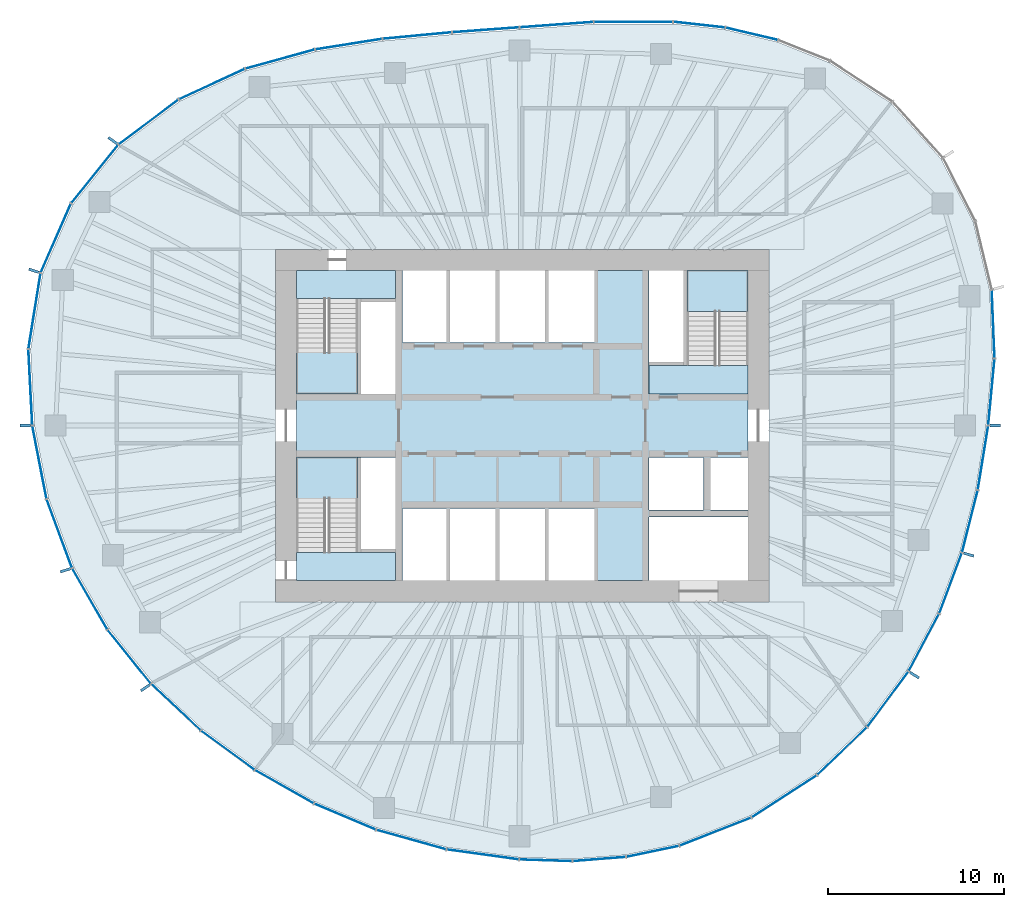
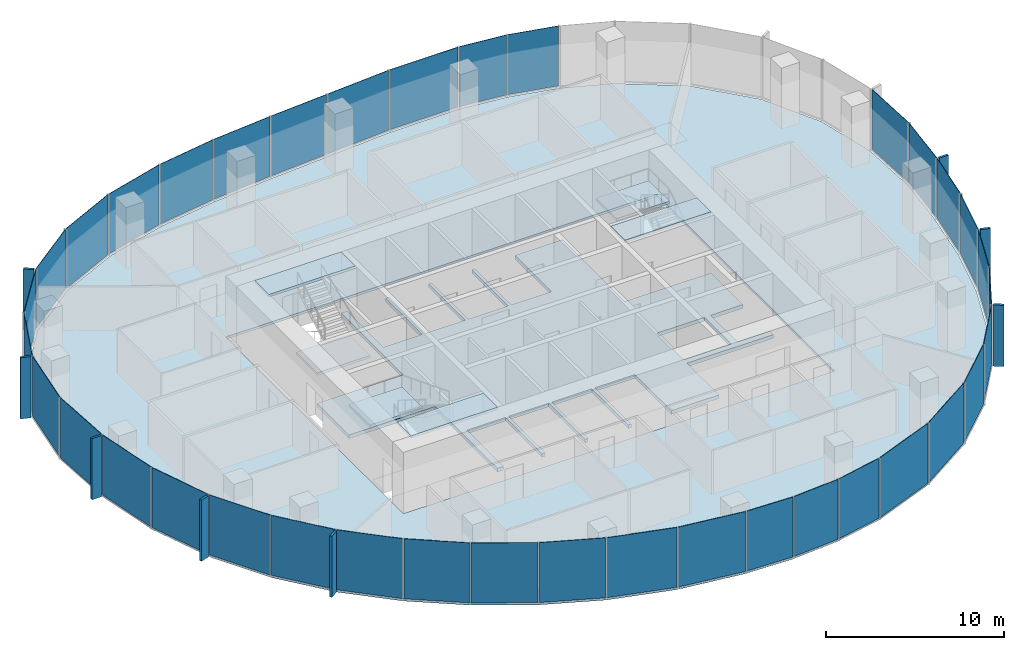
# One storey, part 7 of 12: 45 plates, 8 slabs, 21 elements without a shape of their own.
"""IFC4 building model written with IfcOpenShell, lengths in metres."""

from ifc_helpers import new_model, si_unit, direction, frame, origin, origin_2d, place, context, subcontext, project, spatial, polyline, rectangle, outline, extrude, material, layer, layer_set, type_object, element, aggregate, save


model = new_model("IFC4")

# Units and contexts
model_context = context("Model", 3, precision=1e-05, world=origin(), true_north=direction((0.0, 1.0)))
body_context = subcontext(model_context, "Body", "Model", "MODEL_VIEW")
ifc_project = project(units=[si_unit("LENGTHUNIT", "METRE"), si_unit("AREAUNIT", "SQUARE_METRE"), si_unit("VOLUMEUNIT", "CUBIC_METRE"), si_unit("PLANEANGLEUNIT", "RADIAN"), si_unit("MASSUNIT", "GRAM", prefix="KILO")], contexts=[model_context])

# Site, building, storey
site_placement = place(None, origin())
site = spatial("IfcSite", under=ifc_project, at=site_placement, CompositionType="ELEMENT")
building_placement = place(site_placement, origin())
building = spatial("IfcBuilding", under=site, at=building_placement, Name="Ghaith Harvest Tower", CompositionType="ELEMENT")
storey_placement = place(building_placement, frame((0.0, 0.0, 232.60009765625)))
storey = spatial("IfcBuildingStorey", under=building, at=storey_placement, Name="L51", CompositionType="ELEMENT", Elevation=232.60009765625)

# Curtain wall, plates
ifc_material_1 = material(Name="Black anodised aluminium and fritted glass", Category="aluminium")
curtain_wall_type = type_object("IfcCurtainWallType", Name="CW-H CURTAIN WALL", PredefinedType="NOTDEFINED", material=ifc_material_1)
curtain_wall_1_placement = place(storey_placement, origin())
curtain_wall_1 = element("IfcCurtainWall", 1, at=curtain_wall_1_placement, inside=storey, type_object=curtain_wall_type, Name="Curtain wall CW-H bay 01 L51", PredefinedType="NOTDEFINED")
ifc_material_2 = material(Name="Glass, dark solar-control fritted double glazed unit", Category="glass")
ifc_layer_1 = layer(ifc_material_2, 0.030029296875)
ifc_layer_set_1 = layer_set([ifc_layer_1], Name="CW-H VISION PANEL")
plate_type_1 = type_object("IfcPlateType", Name="CW-H VISION PANEL", PredefinedType="CURTAIN_PANEL", material=ifc_layer_set_1)
plate_1_placement = place(storey_placement, frame((26.624755859375, 1.89794921875, 0.079833984375), z_axis=(0.0, 0.0, 1.0), x_axis=(0.094301909937, 0.995543645343, 0.0)))
plate_1 = element("IfcPlate", 2, at=plate_1_placement, type_object=plate_type_1, Name="CW-H glass unit 1 bay 01 L51", PredefinedType="CURTAIN_PANEL", context=body_context, shape_type="SweptSolid", body=[
    extrude(rectangle(XDim=3.73291015625, YDim=0.030029296875, at=origin_2d()), origin(), (0.0, 0.0, 1.0), 4.1201171875),
])
plate_2_placement = place(storey_placement, frame((26.7255859375, 5.74853515625, 0.079833984375), z_axis=(0.0, 0.0, 1.0), x_axis=(-0.040462173218, 0.999181070947, 0.0)))
plate_2 = element("IfcPlate", 3, at=plate_2_placement, type_object=plate_type_1, Name="CW-H glass unit 2 bay 01 L51", PredefinedType="CURTAIN_PANEL", context=body_context, shape_type="SweptSolid", body=[
    extrude(rectangle(XDim=3.82861328125, YDim=0.030029296875, at=origin_2d()), origin(), (0.0, 0.0, 1.0), 4.1201171875),
])
aggregate(curtain_wall_1, [plate_1, plate_2])

curtain_wall_2_placement = place(storey_placement, origin())
curtain_wall_2 = element("IfcCurtainWall", 4, at=curtain_wall_2_placement, inside=storey, type_object=curtain_wall_type, Name="Curtain wall CW-H bay 04 L51", PredefinedType="NOTDEFINED")
plate_3_placement = place(storey_placement, frame((13.027099609375, 22.225341796875, 0.079833984375), z_axis=(0.0, 0.0, 1.0), x_axis=(-0.973266235028, 0.229679854916, 0.0)))
plate_3 = element("IfcPlate", 5, at=plate_3_placement, type_object=plate_type_1, Name="CW-H glass unit 2 bay 04 L51", PredefinedType="CURTAIN_PANEL", context=body_context, shape_type="SweptSolid", body=[
    extrude(rectangle(XDim=3.00244140625, YDim=0.030029296875, at=origin_2d()), origin(), (0.0, 0.0, 1.0), 4.1201171875),
])
plate_4_placement = place(storey_placement, frame((10.045654296875, 22.744384765625, 0.079833984375), z_axis=(0.0, 0.0, 1.0), x_axis=(-0.993865217442, 0.11059805405, 0.0)))
plate_4 = element("IfcPlate", 6, at=plate_4_placement, type_object=plate_type_1, Name="CW-H glass unit 3 bay 04 L51", PredefinedType="CURTAIN_PANEL", context=body_context, shape_type="SweptSolid", body=[
    extrude(rectangle(XDim=2.901123046875, YDim=0.030029296875, at=origin_2d()), origin(), (0.0, 0.0, 1.0), 4.1201171875),
])
aggregate(curtain_wall_2, [plate_3, plate_4])

curtain_wall_3_placement = place(storey_placement, origin())
curtain_wall_3 = element("IfcCurtainWall", 7, at=curtain_wall_3_placement, inside=storey, type_object=curtain_wall_type, Name="Curtain wall CW-H bay 05 L51", PredefinedType="NOTDEFINED")
plate_5_placement = place(storey_placement, frame((6.31201171875, 22.904296875, 0.079833984375), z_axis=(0.0, 0.0, 1.0), x_axis=(-0.999997643645, -0.002170876291, 0.0)))
plate_5 = element("IfcPlate", 8, at=plate_5_placement, type_object=plate_type_1, Name="CW-H glass unit 1 bay 05 L51", PredefinedType="CURTAIN_PANEL", context=body_context, shape_type="SweptSolid", body=[
    extrude(rectangle(XDim=4.4248046875, YDim=0.030029296875, at=origin_2d()), origin(), (0.0, 0.0, 1.0), 4.1201171875),
])
plate_6_placement = place(storey_placement, frame((1.952392578125, 22.744873046875, 0.079833984375), z_axis=(0.0, 0.0, 1.0), x_axis=(-0.997324570719, -0.073100619976, 0.0)))
plate_6 = element("IfcPlate", 9, at=plate_6_placement, type_object=plate_type_1, Name="CW-H glass unit 2 bay 05 L51", PredefinedType="CURTAIN_PANEL", context=body_context, shape_type="SweptSolid", body=[
    extrude(rectangle(XDim=4.1455078125, YDim=0.030029296875, at=origin_2d()), origin(), (0.0, 0.0, 1.0), 4.1201171875),
])
aggregate(curtain_wall_3, [plate_5, plate_6])

curtain_wall_4_placement = place(storey_placement, origin())
curtain_wall_4 = element("IfcCurtainWall", 10, at=curtain_wall_4_placement, inside=storey, type_object=curtain_wall_type, Name="Curtain wall CW-H bay 06 L51", PredefinedType="NOTDEFINED")
plate_7_placement = place(storey_placement, frame((-2.0693359375, 22.450439453125, 0.079833984375), z_axis=(0.0, 0.0, 1.0), x_axis=(-0.997334393671, -0.072966479985, 0.0)))
plate_7 = element("IfcPlate", 11, at=plate_7_placement, type_object=plate_type_1, Name="CW-H glass unit 1 bay 06 L51", PredefinedType="CURTAIN_PANEL", context=body_context, shape_type="SweptSolid", body=[
    extrude(rectangle(XDim=3.759765625, YDim=0.030029296875, at=origin_2d()), origin(), (0.0, 0.0, 1.0), 4.1201171875),
])
plate_8_placement = place(storey_placement, frame((-5.954345703125, 22.12548828125, 0.079833984375), z_axis=(0.0, 0.0, 1.0), x_axis=(-0.995631991968, -0.093364535934, 0.0)))
plate_8 = element("IfcPlate", 12, at=plate_8_placement, type_object=plate_type_1, Name="CW-H glass unit 2 bay 06 L51", PredefinedType="CURTAIN_PANEL", context=body_context, shape_type="SweptSolid", body=[
    extrude(rectangle(XDim=3.87744140625, YDim=0.030029296875, at=origin_2d()), origin(), (0.0, 0.0, 1.0), 4.1201171875),
])
aggregate(curtain_wall_4, [plate_7, plate_8])

curtain_wall_5_placement = place(storey_placement, origin())
curtain_wall_5 = element("IfcCurtainWall", 13, at=curtain_wall_5_placement, inside=storey, type_object=curtain_wall_type, Name="Curtain wall CW-H bay 07 L51", PredefinedType="NOTDEFINED")
plate_9_placement = place(storey_placement, frame((-9.83837890625, 21.638671875, 0.079833984375), z_axis=(0.0, 0.0, 1.0), x_axis=(-0.98777033338, -0.155915901993, 0.0)))
plate_9 = element("IfcPlate", 14, at=plate_9_placement, type_object=plate_type_1, Name="CW-H glass unit 1 bay 07 L51", PredefinedType="CURTAIN_PANEL", context=body_context, shape_type="SweptSolid", body=[
    extrude(rectangle(XDim=3.795166015625, YDim=0.030029296875, at=origin_2d()), origin(), (0.0, 0.0, 1.0), 4.1201171875),
])
plate_10_placement = place(storey_placement, frame((-13.736572265625, 20.78955078125, 0.079833984375), z_axis=(0.0, 0.0, 1.0), x_axis=(-0.964034113875, -0.26577853052, 0.0)))
plate_10 = element("IfcPlate", 15, at=plate_10_placement, type_object=plate_type_1, Name="CW-H glass unit 2 bay 07 L51", PredefinedType="CURTAIN_PANEL", context=body_context, shape_type="SweptSolid", body=[
    extrude(rectangle(XDim=4.03662109375, YDim=0.030029296875, at=origin_2d()), origin(), (0.0, 0.0, 1.0), 4.1201171875),
])
aggregate(curtain_wall_5, [plate_9, plate_10])

curtain_wall_6_placement = place(storey_placement, origin())
curtain_wall_6 = element("IfcCurtainWall", 16, at=curtain_wall_6_placement, inside=storey, type_object=curtain_wall_type, Name="Curtain wall CW-H bay 08 L51", PredefinedType="NOTDEFINED")
plate_11_placement = place(storey_placement, frame((-17.608154296875, 19.370849609375, 0.079833984375), z_axis=(0.0, 0.0, 1.0), x_axis=(-0.907814470414, -0.419372015408, 0.0)))
plate_11 = element("IfcPlate", 17, at=plate_11_placement, type_object=plate_type_1, Name="CW-H glass unit 1 bay 08 L51", PredefinedType="CURTAIN_PANEL", context=body_context, shape_type="SweptSolid", body=[
    extrude(rectangle(XDim=4.077392578125, YDim=0.030029296875, at=origin_2d()), origin(), (0.0, 0.0, 1.0), 4.1201171875),
])
plate_12_placement = place(storey_placement, frame((-21.20166015625, 17.219482421875, 0.079833984375), z_axis=(0.0, 0.0, 1.0), x_axis=(-0.800067053187, -0.599910585341, 0.0)))
plate_12 = element("IfcPlate", 18, at=plate_12_placement, type_object=plate_type_1, Name="CW-H glass unit 2 bay 08 L51", PredefinedType="CURTAIN_PANEL", context=body_context, shape_type="SweptSolid", body=[
    extrude(rectangle(XDim=4.18603515625, YDim=0.030029296875, at=origin_2d()), origin(), (0.0, 0.0, 1.0), 4.1201171875),
])
aggregate(curtain_wall_6, [plate_11, plate_12])

curtain_wall_7_placement = place(storey_placement, origin())
curtain_wall_7 = element("IfcCurtainWall", 19, at=curtain_wall_7_placement, inside=storey, type_object=curtain_wall_type, Name="Curtain wall CW-H bay 09 L51", PredefinedType="NOTDEFINED")
plate_13_placement = place(storey_placement, frame((-24.25390625, 14.270263671875, 0.079833984375), z_axis=(0.0, 0.0, 1.0), x_axis=(-0.627547637499, -0.778578167347, 0.0)))
plate_13 = element("IfcPlate", 20, at=plate_13_placement, type_object=plate_type_1, Name="CW-H glass unit 1 bay 09 L51", PredefinedType="CURTAIN_PANEL", context=body_context, shape_type="SweptSolid", body=[
    extrude(rectangle(XDim=4.208740234375, YDim=0.030029296875, at=origin_2d()), origin(), (0.0, 0.0, 1.0), 4.1201171875),
])
plate_14_placement = place(storey_placement, frame((-26.462646484375, 10.63037109375, 0.079833984375), z_axis=(0.0, 0.0, 1.0), x_axis=(-0.40121291108, -0.915984825192, 0.0)))
plate_14 = element("IfcPlate", 21, at=plate_14_placement, type_object=plate_type_1, Name="CW-H glass unit 2 bay 09 L51", PredefinedType="CURTAIN_PANEL", context=body_context, shape_type="SweptSolid", body=[
    extrude(rectangle(XDim=4.22216796875, YDim=0.030029296875, at=origin_2d()), origin(), (0.0, 0.0, 1.0), 4.1201171875),
])
aggregate(curtain_wall_7, [plate_13, plate_14])

curtain_wall_8_placement = place(storey_placement, origin())
curtain_wall_8 = element("IfcCurtainWall", 22, at=curtain_wall_8_placement, inside=storey, type_object=curtain_wall_type, Name="Curtain wall CW-H bay 10 L51", PredefinedType="NOTDEFINED")
plate_15_placement = place(storey_placement, frame((-27.670654296875, 6.49658203125, 0.079833984375), z_axis=(0.0, 0.0, 1.0), x_axis=(-0.157514341695, -0.987516699687, 0.0)))
plate_15 = element("IfcPlate", 23, at=plate_15_placement, type_object=plate_type_1, Name="CW-H glass unit 1 bay 10 L51", PredefinedType="CURTAIN_PANEL", context=body_context, shape_type="SweptSolid", body=[
    extrude(rectangle(XDim=4.301513671875, YDim=0.030029296875, at=origin_2d()), origin(), (0.0, 0.0, 1.0), 4.1201171875),
])
plate_16_placement = place(storey_placement, frame((-27.905517578125, 2.16650390625, 0.079833984375), z_axis=(0.0, 0.0, 1.0), x_axis=(0.050894857592, -0.998704016949, 0.0)))
plate_16 = element("IfcPlate", 24, at=plate_16_placement, type_object=plate_type_1, Name="CW-H glass unit 2 bay 10 L51", PredefinedType="CURTAIN_PANEL", context=body_context, shape_type="SweptSolid", body=[
    extrude(rectangle(XDim=4.2587890625, YDim=0.030029296875, at=origin_2d()), origin(), (0.0, 0.0, 1.0), 4.1201171875),
])
aggregate(curtain_wall_8, [plate_15, plate_16])

curtain_wall_9_placement = place(storey_placement, origin())
curtain_wall_9 = element("IfcCurtainWall", 25, at=curtain_wall_9_placement, inside=storey, type_object=curtain_wall_type, Name="Curtain wall CW-H bay 11 L51", PredefinedType="NOTDEFINED")
plate_17_placement = place(storey_placement, frame((-27.39013671875, -2.0869140625, 0.079833984375), z_axis=(0.0, 0.0, 1.0), x_axis=(0.190426809322, -0.981701395686, 0.0)))
plate_17 = element("IfcPlate", 26, at=plate_17_placement, type_object=plate_type_1, Name="CW-H glass unit 1 bay 11 L51", PredefinedType="CURTAIN_PANEL", context=body_context, shape_type="SweptSolid", body=[
    extrude(rectangle(XDim=4.171630859375, YDim=0.030029296875, at=origin_2d()), origin(), (0.0, 0.0, 1.0), 4.1201171875),
])
plate_18_placement = place(storey_placement, frame((-26.261962890625, -6.1337890625, 0.079833984375), z_axis=(0.0, 0.0, 1.0), x_axis=(0.346303431688, -0.938122557666, 0.0)))
plate_18 = element("IfcPlate", 27, at=plate_18_placement, type_object=plate_type_1, Name="CW-H glass unit 2 bay 11 L51", PredefinedType="CURTAIN_PANEL", context=body_context, shape_type="SweptSolid", body=[
    extrude(rectangle(XDim=4.098388671875, YDim=0.030029296875, at=origin_2d()), origin(), (0.0, 0.0, 1.0), 4.1201171875),
])
aggregate(curtain_wall_9, [plate_17, plate_18])

curtain_wall_10_placement = place(storey_placement, origin())
curtain_wall_10 = element("IfcCurtainWall", 28, at=curtain_wall_10_placement, inside=storey, type_object=curtain_wall_type, Name="Curtain wall CW-H bay 12 L51", PredefinedType="NOTDEFINED")
plate_19_placement = place(storey_placement, frame((-24.535888671875, -9.838623046875, 0.079833984375), z_axis=(0.0, 0.0, 1.0), x_axis=(0.49818018945, -0.867073525625, 0.0)))
plate_19 = element("IfcPlate", 29, at=plate_19_placement, type_object=plate_type_1, Name="CW-H glass unit 1 bay 12 L51", PredefinedType="CURTAIN_PANEL", context=body_context, shape_type="SweptSolid", body=[
    extrude(rectangle(XDim=3.945068359375, YDim=0.030029296875, at=origin_2d()), origin(), (0.0, 0.0, 1.0), 4.1201171875),
])
plate_20_placement = place(storey_placement, frame((-22.29736328125, -13.119140625, 0.079833984375), z_axis=(0.0, 0.0, 1.0), x_axis=(0.626957061695, -0.779053812513, 0.0)))
plate_20 = element("IfcPlate", 30, at=plate_20_placement, type_object=plate_type_1, Name="CW-H glass unit 2 bay 12 L51", PredefinedType="CURTAIN_PANEL", context=body_context, shape_type="SweptSolid", body=[
    extrude(rectangle(XDim=3.8623046875, YDim=0.030029296875, at=origin_2d()), origin(), (0.0, 0.0, 1.0), 4.1201171875),
])
aggregate(curtain_wall_10, [plate_19, plate_20])

curtain_wall_11_placement = place(storey_placement, origin())
curtain_wall_11 = element("IfcCurtainWall", 31, at=curtain_wall_11_placement, inside=storey, type_object=curtain_wall_type, Name="Curtain wall CW-H bay 13 L51", PredefinedType="NOTDEFINED")
plate_21_placement = place(storey_placement, frame((-19.649658203125, -15.98046875, 0.079833984375), z_axis=(0.0, 0.0, 1.0), x_axis=(0.729016864325, -0.684495735217, 0.0)))
plate_21 = element("IfcPlate", 32, at=plate_21_placement, type_object=plate_type_1, Name="CW-H glass unit 1 bay 13 L51", PredefinedType="CURTAIN_PANEL", context=body_context, shape_type="SweptSolid", body=[
    extrude(rectangle(XDim=3.793212890625, YDim=0.030029296875, at=origin_2d()), origin(), (0.0, 0.0, 1.0), 4.1201171875),
])
plate_22_placement = place(storey_placement, frame((-16.707763671875, -18.42431640625, 0.079833984375), z_axis=(0.0, 0.0, 1.0), x_axis=(0.80736351134, -0.590054370848, 0.0)))
plate_22 = element("IfcPlate", 33, at=plate_22_placement, type_object=plate_type_1, Name="CW-H glass unit 2 bay 13 L51", PredefinedType="CURTAIN_PANEL", context=body_context, shape_type="SweptSolid", body=[
    extrude(rectangle(XDim=3.710693359375, YDim=0.030029296875, at=origin_2d()), origin(), (0.0, 0.0, 1.0), 4.1201171875),
])
aggregate(curtain_wall_11, [plate_21, plate_22])

curtain_wall_12_placement = place(storey_placement, origin())
curtain_wall_12 = element("IfcCurtainWall", 34, at=curtain_wall_12_placement, inside=storey, type_object=curtain_wall_type, Name="Curtain wall CW-H bay 14 L51", PredefinedType="NOTDEFINED")
plate_23_placement = place(storey_placement, frame((-13.496337890625, -20.496826171875, 0.079833984375), z_axis=(0.0, 0.0, 1.0), x_axis=(0.869715300233, -0.493553742303, 0.0)))
plate_23 = element("IfcPlate", 35, at=plate_23_placement, type_object=plate_type_1, Name="CW-H glass unit 1 bay 14 L51", PredefinedType="CURTAIN_PANEL", context=body_context, shape_type="SweptSolid", body=[
    extrude(rectangle(XDim=3.785888671875, YDim=0.030029296875, at=origin_2d()), origin(), (0.0, 0.0, 1.0), 4.1201171875),
])
plate_24_placement = place(storey_placement, frame((-10.050537109375, -22.1962890625, 0.079833984375), z_axis=(0.0, 0.0, 1.0), x_axis=(0.921181516072, -0.389133157734, 0.0)))
plate_24 = element("IfcPlate", 36, at=plate_24_placement, type_object=plate_type_1, Name="CW-H glass unit 2 bay 14 L51", PredefinedType="CURTAIN_PANEL", context=body_context, shape_type="SweptSolid", body=[
    extrude(rectangle(XDim=3.751220703125, YDim=0.030029296875, at=origin_2d()), origin(), (0.0, 0.0, 1.0), 4.1201171875),
])
aggregate(curtain_wall_12, [plate_23, plate_24])

curtain_wall_13_placement = place(storey_placement, origin())
curtain_wall_13 = element("IfcCurtainWall", 37, at=curtain_wall_13_placement, inside=storey, type_object=curtain_wall_type, Name="Curtain wall CW-H bay 15 L51", PredefinedType="NOTDEFINED")
plate_25_placement = place(storey_placement, frame((-6.291015625, -23.49853515625, 0.079833984375), z_axis=(0.0, 0.0, 1.0), x_axis=(0.963162861349, -0.268918765647, 0.0)))
plate_25 = element("IfcPlate", 38, at=plate_25_placement, type_object=plate_type_1, Name="CW-H glass unit 1 bay 15 L51", PredefinedType="CURTAIN_PANEL", context=body_context, shape_type="SweptSolid", body=[
    extrude(rectangle(XDim=4.062744140625, YDim=0.030029296875, at=origin_2d()), origin(), (0.0, 0.0, 1.0), 4.1201171875),
])
plate_26_placement = place(storey_placement, frame((-2.232177734375, -24.34033203125, 0.079833984375), z_axis=(0.0, 0.0, 1.0), x_axis=(0.990612268407, -0.136701622823, 0.0)))
plate_26 = element("IfcPlate", 39, at=plate_26_placement, type_object=plate_type_1, Name="CW-H glass unit 2 bay 15 L51", PredefinedType="CURTAIN_PANEL", context=body_context, shape_type="SweptSolid", body=[
    extrude(rectangle(XDim=4.08642578125, YDim=0.030029296875, at=origin_2d()), origin(), (0.0, 0.0, 1.0), 4.1201171875),
])
aggregate(curtain_wall_13, [plate_25, plate_26])

curtain_wall_14_placement = place(storey_placement, origin())
curtain_wall_14 = element("IfcCurtainWall", 40, at=curtain_wall_14_placement, inside=storey, type_object=curtain_wall_type, Name="Curtain wall CW-H bay 16 L51", PredefinedType="NOTDEFINED")
plate_27_placement = place(storey_placement, frame((1.339599609375, -24.67333984375, 0.079833984375), z_axis=(0.0, 0.0, 1.0), x_axis=(0.99949125523, -0.031894054587, 0.0)))
plate_27 = element("IfcPlate", 41, at=plate_27_placement, type_object=plate_type_1, Name="CW-H glass unit 1 bay 16 L51", PredefinedType="CURTAIN_PANEL", context=body_context, shape_type="SweptSolid", body=[
    extrude(rectangle(XDim=2.937744140625, YDim=0.030029296875, at=origin_2d()), origin(), (0.0, 0.0, 1.0), 4.1201171875),
])
plate_28_placement = place(storey_placement, frame((4.37060546875, -24.60205078125, 0.079833984375), z_axis=(0.0, 0.0, 1.0), x_axis=(0.996945418782, 0.078101421048, 0.0)))
plate_28 = element("IfcPlate", 42, at=plate_28_placement, type_object=plate_type_1, Name="CW-H glass unit 2 bay 16 L51", PredefinedType="CURTAIN_PANEL", context=body_context, shape_type="SweptSolid", body=[
    extrude(rectangle(XDim=2.974853515625, YDim=0.030029296875, at=origin_2d()), origin(), (0.0, 0.0, 1.0), 4.1201171875),
])
plate_29_placement = place(storey_placement, frame((7.40478515625, -24.16650390625, 0.079833984375), z_axis=(0.0, 0.0, 1.0), x_axis=(0.978788872874, 0.204871526422, 0.0)))
plate_29 = element("IfcPlate", 43, at=plate_29_placement, type_object=plate_type_1, Name="CW-H glass unit 3 bay 16 L51", PredefinedType="CURTAIN_PANEL", context=body_context, shape_type="SweptSolid", body=[
    extrude(rectangle(XDim=3.00830078125, YDim=0.030029296875, at=origin_2d()), origin(), (0.0, 0.0, 1.0), 4.1201171875),
])
aggregate(curtain_wall_14, [plate_27, plate_28, plate_29])

curtain_wall_15_placement = place(storey_placement, origin())
curtain_wall_15 = element("IfcCurtainWall", 44, at=curtain_wall_15_placement, inside=storey, type_object=curtain_wall_type, Name="Curtain wall CW-H bay 17 L51", PredefinedType="NOTDEFINED")
plate_30_placement = place(storey_placement, frame((10.963134765625, -23.048583984375, 0.079833984375), z_axis=(0.0, 0.0, 1.0), x_axis=(0.931161161765, 0.364607858966, 0.0)))
plate_30 = element("IfcPlate", 45, at=plate_30_placement, type_object=plate_type_1, Name="CW-H glass unit 1 bay 17 L51", PredefinedType="CURTAIN_PANEL", context=body_context, shape_type="SweptSolid", body=[
    extrude(rectangle(XDim=4.316650390625, YDim=0.030029296875, at=origin_2d()), origin(), (0.0, 0.0, 1.0), 4.1201171875),
])
plate_31_placement = place(storey_placement, frame((14.869384765625, -21.042724609375, 0.079833984375), z_axis=(0.0, 0.0, 1.0), x_axis=(0.839305300126, 0.543660384045, 0.0)))
plate_31 = element("IfcPlate", 46, at=plate_31_placement, type_object=plate_type_1, Name="CW-H glass unit 2 bay 17 L51", PredefinedType="CURTAIN_PANEL", context=body_context, shape_type="SweptSolid", body=[
    extrude(rectangle(XDim=4.35107421875, YDim=0.030029296875, at=origin_2d()), origin(), (0.0, 0.0, 1.0), 4.1201171875),
])
aggregate(curtain_wall_15, [plate_30, plate_31])

curtain_wall_16_placement = place(storey_placement, origin())
curtain_wall_16 = element("IfcCurtainWall", 47, at=curtain_wall_16_placement, inside=storey, type_object=curtain_wall_type, Name="Curtain wall CW-H bay 18 L51", PredefinedType="NOTDEFINED")
plate_32_placement = place(storey_placement, frame((18.151611328125, -18.47705078125, 0.079833984375), z_axis=(0.0, 0.0, 1.0), x_axis=(0.722532585058, 0.691336866896, 0.0)))
plate_32 = element("IfcPlate", 48, at=plate_32_placement, type_object=plate_type_1, Name="CW-H glass unit 1 bay 18 L51", PredefinedType="CURTAIN_PANEL", context=body_context, shape_type="SweptSolid", body=[
    extrude(rectangle(XDim=3.85791015625, YDim=0.030029296875, at=origin_2d()), origin(), (0.0, 0.0, 1.0), 4.1201171875),
])
plate_33_placement = place(storey_placement, frame((20.74853515625, -15.53369140625, 0.079833984375), z_axis=(0.0, 0.0, 1.0), x_axis=(0.596018639888, 0.802970597784, 0.0)))
plate_33 = element("IfcPlate", 49, at=plate_33_placement, type_object=plate_type_1, Name="CW-H glass unit 2 bay 18 L51", PredefinedType="CURTAIN_PANEL", context=body_context, shape_type="SweptSolid", body=[
    extrude(rectangle(XDim=3.8603515625, YDim=0.030029296875, at=origin_2d()), origin(), (0.0, 0.0, 1.0), 4.1201171875),
])
aggregate(curtain_wall_16, [plate_32, plate_33])

curtain_wall_17_placement = place(storey_placement, origin())
curtain_wall_17 = element("IfcCurtainWall", 50, at=curtain_wall_17_placement, inside=storey, type_object=curtain_wall_type, Name="Curtain wall CW-H bay 19 L51", PredefinedType="NOTDEFINED")
plate_34_placement = place(storey_placement, frame((22.79052734375, -12.316162109375, 0.079833984375), z_axis=(0.0, 0.0, 1.0), x_axis=(0.46864379564, 0.883387226989, 0.0)))
plate_34 = element("IfcPlate", 51, at=plate_34_placement, type_object=plate_type_1, Name="CW-H glass unit 1 bay 19 L51", PredefinedType="CURTAIN_PANEL", context=body_context, shape_type="SweptSolid", body=[
    extrude(rectangle(XDim=3.623291015625, YDim=0.030029296875, at=origin_2d()), origin(), (0.0, 0.0, 1.0), 4.1201171875),
])
plate_35_placement = place(storey_placement, frame((24.30712890625, -8.946533203125, 0.079833984375), z_axis=(0.0, 0.0, 1.0), x_axis=(0.350480749824, 0.936569935457, 0.0)))
plate_35 = element("IfcPlate", 52, at=plate_35_placement, type_object=plate_type_1, Name="CW-H glass unit 2 bay 19 L51", PredefinedType="CURTAIN_PANEL", context=body_context, shape_type="SweptSolid", body=[
    extrude(rectangle(XDim=3.62255859375, YDim=0.030029296875, at=origin_2d()), origin(), (0.0, 0.0, 1.0), 4.1201171875),
])
aggregate(curtain_wall_17, [plate_34, plate_35])

curtain_wall_18_placement = place(storey_placement, origin())
curtain_wall_18 = element("IfcCurtainWall", 53, at=curtain_wall_18_placement, inside=storey, type_object=curtain_wall_type, Name="Curtain wall CW-H bay 20 L51", PredefinedType="NOTDEFINED")
plate_36_placement = place(storey_placement, frame((25.404541015625, -5.43701171875, 0.079833984375), z_axis=(0.0, 0.0, 1.0), x_axis=(0.244925945134, 0.969541789404, 0.0)))
plate_36 = element("IfcPlate", 54, at=plate_36_placement, type_object=plate_type_1, Name="CW-H glass unit 1 bay 20 L51", PredefinedType="CURTAIN_PANEL", context=body_context, shape_type="SweptSolid", body=[
    extrude(rectangle(XDim=3.583251953125, YDim=0.030029296875, at=origin_2d()), origin(), (0.0, 0.0, 1.0), 4.1201171875),
])
plate_37_placement = place(storey_placement, frame((26.14892578125, -1.83056640625, 0.079833984375), z_axis=(0.0, 0.0, 1.0), x_axis=(0.159600748097, 0.987181645497, 0.0)))
plate_37 = element("IfcPlate", 55, at=plate_37_placement, type_object=plate_type_1, Name="CW-H glass unit 2 bay 20 L51", PredefinedType="CURTAIN_PANEL", context=body_context, shape_type="SweptSolid", body=[
    extrude(rectangle(XDim=3.628662109375, YDim=0.030029296875, at=origin_2d()), origin(), (0.0, 0.0, 1.0), 4.1201171875),
])
aggregate(curtain_wall_18, [plate_36, plate_37])

# Slabs
ifc_material_3 = material(Name="Concrete C40/50", Category="concrete")
ifc_layer_2 = layer(ifc_material_3, 0.169921875)
ifc_layer_set_2 = layer_set([ifc_layer_2], Name="FLOOR SLAB 170")
slab_type_1 = type_object("IfcSlabType", Name="FLOOR SLAB 170", PredefinedType="FLOOR", material=ifc_layer_set_2)
slab_1_placement = place(storey_placement, frame((0.0, 0.0, -0.170166015625)))
element("IfcSlab", 56, at=slab_1_placement, inside=storey, type_object=slab_type_1, Name="Floor slab L51", PredefinedType="FLOOR", context=body_context, shape_type="SweptSolid", body=[
    extrude(outline(polyline([(26.324951171875, 0.0), (26.685791015625, 3.779052734375), (26.531005859375, 7.668212890625), (25.597900390625, 11.55615234375), (23.77294921875, 15.12939453125), (20.923095703125, 18.295166015625), (17.382080078125, 20.612548828125), (14.460693359375, 21.771484375), (11.47265625, 22.47265625), (8.522216796875, 22.796875), (4.03857421875, 22.78125), (-0.15380859375, 22.470458984375), (-3.963134765625, 22.192138671875), (-7.8837890625, 21.827880859375), (-11.694580078125, 21.2314453125), (-15.6474609375, 20.147705078125), (-19.408203125, 18.41650390625), (-22.809814453125, 15.87109375), (-25.491943359375, 12.547607421875), (-27.211181640625, 8.623779296875), (-27.897216796875, 4.314697265625), (-27.675048828125, 0.0), (-26.86669921875, -4.155517578125), (-25.424072265625, -8.057373046875), (-23.425537109375, -11.530517578125), (-20.963134765625, -14.586181640625), (-18.15087890625, -17.223388671875), (-15.10400390625, -19.447998046875), (-11.75732421875, -21.345703125), (-8.2451171875, -22.82861328125), (-4.27490234375, -23.9375), (-0.167724609375, -24.505126953125), (2.833984375, -24.602294921875), (5.865234375, -24.3662109375), (8.8740234375, -23.73779296875), (12.949462890625, -22.1435546875), (16.651611328125, -19.746337890625), (19.48388671875, -17.036865234375), (21.821533203125, -13.887451171875), (23.548828125, -10.631103515625), (24.840576171875, -7.179443359375), (25.734375, -3.644287109375), (26.324951171875, 0.0)]), holes=[polyline([(-14.0, -10.0), (14.0, -10.0), (14.0, 10.0), (-14.0, 10.0), (-14.0, -10.0)])]), origin(), (0.0, 0.0, 1.0), 0.170166015625),
])
ifc_material_4 = material(Name="Concrete C40/50", Category="concrete")
ifc_layer_3 = layer(ifc_material_4, 0.25)
ifc_layer_set_3 = layer_set([ifc_layer_3], Name="FLOOR SLAB 250")
slab_type_2 = type_object("IfcSlabType", Name="FLOOR SLAB 250", PredefinedType="FLOOR", material=ifc_layer_set_3)
slab_2_placement = place(storey_placement, frame((0.0, 0.0, -0.25)))
element("IfcSlab", 57, at=slab_2_placement, inside=storey, type_object=slab_type_2, Name="Core slab L51", PredefinedType="FLOOR", context=body_context, shape_type="SweptSolid", body=[
    extrude(outline(polyline([(-12.800048828125, 1.800048828125), (-7.199951171875, 1.800048828125), (-7.199951171875, 8.800048828125), (-6.800048828125, 8.800048828125), (-6.800048828125, 4.699951171875), (-4.300048828125, 4.699951171875), (-4.300048828125, 8.800048828125), (-4.10009765625, 8.800048828125), (-4.10009765625, 4.699951171875), (-1.5, 4.699951171875), (-1.5, 8.800048828125), (-1.300048828125, 8.800048828125), (-1.300048828125, 4.699951171875), (1.300048828125, 4.699951171875), (1.300048828125, 8.800048828125), (1.5, 8.800048828125), (1.5, 4.699951171875), (4.10009765625, 4.699951171875), (4.10009765625, 8.800048828125), (7.199951171875, 8.800048828125), (7.199951171875, 1.800048828125), (12.800048828125, 1.800048828125), (12.800048828125, -1.800048828125), (10.699951171875, -1.800048828125), (10.699951171875, -4.800048828125), (12.800048828125, -4.800048828125), (12.800048828125, -5.199951171875), (7.199951171875, -5.199951171875), (7.199951171875, -8.800048828125), (4.10009765625, -8.800048828125), (4.10009765625, -4.699951171875), (1.5, -4.699951171875), (1.5, -8.800048828125), (1.300048828125, -8.800048828125), (1.300048828125, -4.699951171875), (-1.300048828125, -4.699951171875), (-1.300048828125, -8.800048828125), (-1.5, -8.800048828125), (-1.5, -4.699951171875), (-4.10009765625, -4.699951171875), (-4.10009765625, -8.800048828125), (-4.300048828125, -8.800048828125), (-4.300048828125, -4.699951171875), (-6.800048828125, -4.699951171875), (-6.800048828125, -8.800048828125), (-7.199951171875, -8.800048828125), (-7.199951171875, -1.800048828125), (-12.800048828125, -1.800048828125), (-12.800048828125, 1.800048828125)]), holes=[polyline([(10.300048828125, -4.800048828125), (10.300048828125, -1.800048828125), (7.199951171875, -1.800048828125), (7.199951171875, -4.800048828125), (10.300048828125, -4.800048828125)])]), origin(), (0.0, 0.0, 1.0), 0.25),
])

# Stair, slabs
ifc_material_5 = material(Name="Concrete C40/50, precast", Category="concrete")
stair_type = type_object("IfcStairType", Name="CORE STAIR 24R", PredefinedType="HALF_TURN_STAIR", material=ifc_material_5)
stair_1_placement = place(storey_placement, origin())
stair_1 = element("IfcStair", 58, at=stair_1_placement, inside=storey, type_object=stair_type, Name="Stair ST1 L51", PredefinedType="HALF_TURN_STAIR")
ifc_material_6 = material(Name="Concrete C40/50, precast", Category="concrete")
ifc_layer_4 = layer(ifc_material_6, 0.179931640625)
ifc_layer_set_4 = layer_set([ifc_layer_4], Name="STAIR LANDING 180")
slab_type_3 = type_object("IfcSlabType", Name="STAIR LANDING 180", PredefinedType="LANDING", material=ifc_layer_set_4)
slab_3_placement = place(storey_placement, frame((0.0, 0.0, 1.919921875)))
slab_3 = element("IfcSlab", 59, at=slab_3_placement, type_object=slab_type_3, Name="ST1 landing 1", PredefinedType="LANDING", context=body_context, shape_type="SweptSolid", body=[
    extrude(outline(polyline([(-12.800048828125, 4.139892578125), (-12.800048828125, 1.77490234375), (-9.35009765625, 1.77490234375), (-9.35009765625, 4.139892578125), (-12.800048828125, 4.139892578125)])), origin(), (0.0, 0.0, 1.0), 0.179931640625),
])
slab_4_placement = place(storey_placement, frame((0.0, 0.0, 4.02001953125)))
slab_4 = element("IfcSlab", 60, at=slab_4_placement, type_object=slab_type_3, Name="ST1 landing 2", PredefinedType="LANDING", context=body_context, shape_type="SweptSolid", body=[
    extrude(outline(polyline([(-12.800048828125, 8.800048828125), (-12.800048828125, 7.199951171875), (-7.199951171875, 7.199951171875), (-7.199951171875, 8.800048828125), (-12.800048828125, 8.800048828125)])), origin(), (0.0, 0.0, 1.0), 0.179931640625),
])
aggregate(stair_1, [slab_3, slab_4])

stair_2_placement = place(storey_placement, origin())
stair_2 = element("IfcStair", 61, at=stair_2_placement, inside=storey, type_object=stair_type, Name="Stair ST3 L51", PredefinedType="HALF_TURN_STAIR")
slab_5_placement = place(storey_placement, frame((0.0, 0.0, 1.919921875)))
slab_5 = element("IfcSlab", 62, at=slab_5_placement, type_object=slab_type_3, Name="ST3 landing 1", PredefinedType="LANDING", context=body_context, shape_type="SweptSolid", body=[
    extrude(outline(polyline([(-12.800048828125, -4.139892578125), (-12.800048828125, -1.77490234375), (-9.35009765625, -1.77490234375), (-9.35009765625, -4.139892578125), (-12.800048828125, -4.139892578125)])), origin(), (0.0, 0.0, 1.0), 0.179931640625),
])
slab_6_placement = place(storey_placement, frame((0.0, 0.0, 4.02001953125)))
slab_6 = element("IfcSlab", 63, at=slab_6_placement, type_object=slab_type_3, Name="ST3 landing 2", PredefinedType="LANDING", context=body_context, shape_type="SweptSolid", body=[
    extrude(outline(polyline([(-12.800048828125, -8.800048828125), (-12.800048828125, -7.199951171875), (-7.199951171875, -7.199951171875), (-7.199951171875, -8.800048828125), (-12.800048828125, -8.800048828125)])), origin(), (0.0, 0.0, 1.0), 0.179931640625),
])
aggregate(stair_2, [slab_5, slab_6])

stair_3_placement = place(storey_placement, origin())
stair_3 = element("IfcStair", 64, at=stair_3_placement, inside=storey, type_object=stair_type, Name="Stair ST2 L51", PredefinedType="HALF_TURN_STAIR")
slab_7_placement = place(storey_placement, frame((0.0, 0.0, 1.919921875)))
slab_7 = element("IfcSlab", 65, at=slab_7_placement, type_object=slab_type_3, Name="ST2 landing 1", PredefinedType="LANDING", context=body_context, shape_type="SweptSolid", body=[
    extrude(outline(polyline([(12.800048828125, 6.4599609375), (12.800048828125, 8.800048828125), (9.35009765625, 8.800048828125), (9.35009765625, 6.4599609375), (12.800048828125, 6.4599609375)])), origin(), (0.0, 0.0, 1.0), 0.179931640625),
])
slab_8_placement = place(storey_placement, frame((0.0, 0.0, 4.02001953125)))
slab_8 = element("IfcSlab", 66, at=slab_8_placement, type_object=slab_type_3, Name="ST2 landing 2", PredefinedType="LANDING", context=body_context, shape_type="SweptSolid", body=[
    extrude(outline(polyline([(12.800048828125, 1.800048828125), (12.800048828125, 3.39990234375), (7.199951171875, 3.39990234375), (7.199951171875, 1.800048828125), (12.800048828125, 1.800048828125)])), origin(), (0.0, 0.0, 1.0), 0.179931640625),
])
aggregate(stair_3, [slab_7, slab_8])

# Plates
ifc_material_7 = material(Name="Glassfibre-reinforced concrete", Category="concrete")
ifc_layer_5 = layer(ifc_material_7, 0.14990234375)
ifc_layer_set_5 = layer_set([ifc_layer_5], Name="SUN-BREAKER FIN 600x150")
plate_type_2 = type_object("IfcPlateType", Name="SUN-BREAKER FIN 600x150", PredefinedType="USERDEFINED", material=ifc_layer_set_5)
for number, where, z_axis, x_axis, name in (
    (67, (26.844970703125, 0.0, 0.0), (0.0, 0.0, 1.0), (1.0, 0.0, 0.0), "Sun-breaker fin CW-H 1 bay 01 L51"),
    (68, (-23.236572265625, 16.168212890625, 0.0), (0.0, 0.0, 1.0), (-0.820845486523, 0.571150319316, 0.0), "Sun-breaker fin CW-H 1 bay 09 L51"),
    (69, (-27.70703125, 8.78076171875, 0.0), (0.0, 0.0, 1.0), (-0.953273219358, 0.302109531884, 0.0), "Sun-breaker fin CW-H 1 bay 10 L51"),
    (70, (-28.195068359375, 0.0, 0.0), (0.0, 0.0, 1.0), (-1.0, -4.19e-10, 0.0), "Sun-breaker fin CW-H 1 bay 11 L51"),
    (71, (-25.919677734375, -8.21435546875, 0.0), (0.0, 0.0, 1.0), (-0.953273219416, -0.302109531701, 0.0), "Sun-breaker fin CW-H 1 bay 12 L51"),
    (72, (-21.389892578125, -14.88330078125, 0.0), (0.0, 0.0, 1.0), (-0.820845486622, -0.571150319173, 0.0), "Sun-breaker fin CW-H 1 bay 13 L51"),
    (73, (22.26025390625, -14.16650390625, 0.0), (0.0, 0.0, 1.0), (0.84364397137, -0.536903016913, 0.0), "Sun-breaker fin CW-H 1 bay 19 L51"),
    (74, (25.340087890625, -7.32373046875, 0.0), (0.0, 0.0, 1.0), (0.960680349932, -0.277656739976, 0.0), "Sun-breaker fin CW-H 1 bay 20 L51"),
):
    element("IfcPlate", number, at=place(storey_placement, frame(where, z_axis=z_axis, x_axis=x_axis)), inside=storey, type_object=plate_type_2, Name=name, ObjectType="SUN-BREAKER FIN", PredefinedType="USERDEFINED", context=body_context, shape_type="SweptSolid", body=[
        extrude(rectangle(XDim=0.60009765625, YDim=0.14990234375, at=origin_2d()), origin(), (0.0, 0.0, 1.0), 4.199951171875),
    ])

save(model, "model.ifc")
